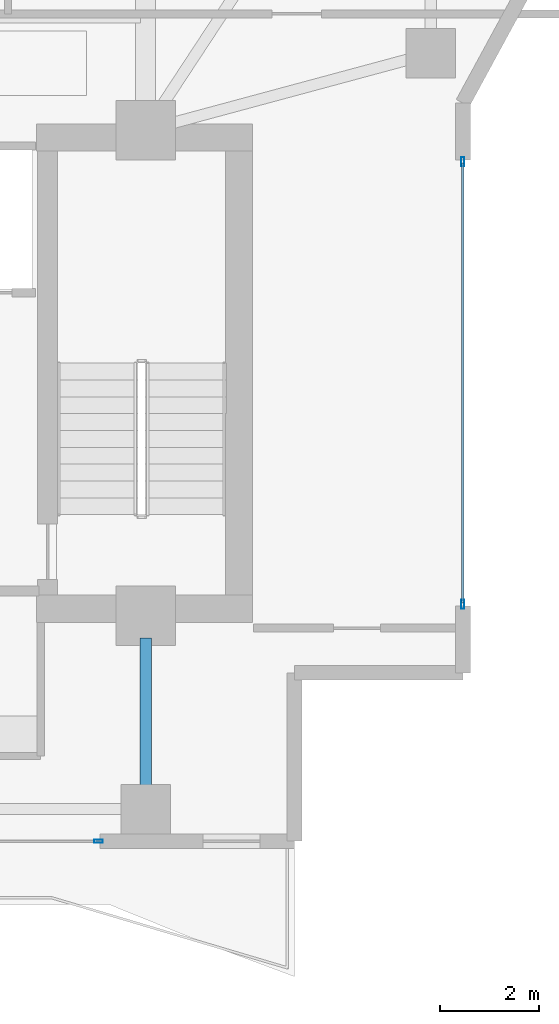
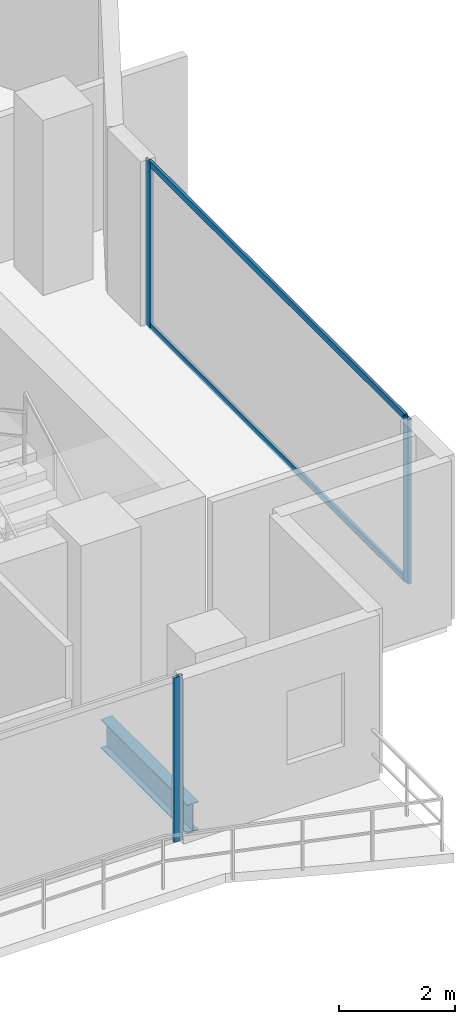
# One storey, part 8 of 23: 5 members, 1 beam, 2 elements without a shape of their own.
"""IFC4 building model written with IfcOpenShell, lengths in metres."""

from ifc_helpers import new_model, si_unit, direction, frame, origin, origin_2d, place, context, subcontext, project, spatial, hollow_rectangle, i_section, extrude, material, layer, layer_set, material_profile, profile_set, type_object, element, aggregate, save


model = new_model("IFC4")

# Units and contexts
model_context = context("Model", 3, precision=1e-05, world=origin(), true_north=direction((0.0, 1.0)))
body_context = subcontext(model_context, "Body", "Model", "MODEL_VIEW")
ifc_project = project(units=[si_unit("LENGTHUNIT", "METRE"), si_unit("AREAUNIT", "SQUARE_METRE"), si_unit("VOLUMEUNIT", "CUBIC_METRE"), si_unit("PLANEANGLEUNIT", "RADIAN"), si_unit("MASSUNIT", "GRAM", prefix="KILO")], contexts=[model_context])

# Site, building, storey
site_placement = place(None, origin())
site = spatial("IfcSite", under=ifc_project, at=site_placement, CompositionType="ELEMENT")
building_placement = place(site_placement, origin())
building = spatial("IfcBuilding", under=site, at=building_placement, Name="Zuhayl Quay Hotel", CompositionType="ELEMENT")
storey_placement = place(building_placement, frame((0.0, 0.0, 265.550048828125)))
storey = spatial("IfcBuildingStorey", under=building, at=storey_placement, Name="L67", CompositionType="ELEMENT", Elevation=265.550048828125)

# Beam
ifc_material_1 = material(Name="Steel ASTM A992 Grade 50", Category="steel")
ifc_material_profile_1 = material_profile(ifc_material_1, i_section(OverallWidth=0.22802734375, OverallDepth=0.60693359375, WebThickness=0.01123046875, FlangeThickness=0.017333984375, at=origin_2d()), Name="W24X76")
ifc_profile_set_1 = profile_set([ifc_material_profile_1], Name="Steel ASTM A992 Grade 50")
beam_type = type_object("IfcBeamType", Name="BM_B3_W24X76", PredefinedType="BEAM", material=ifc_profile_set_1)
beam_placement = place(storey_placement, frame((13.800048828125, 1.110107421875, -0.5234375), z_axis=(0.0, 1.0, 0.0), x_axis=(-1.0, 0.0, 0.0)))
element("IfcBeam", 1, at=beam_placement, inside=storey, type_object=beam_type, Name="L67 Floor Beam FG_S_L67_4", PredefinedType="BEAM", context=body_context, shape_type="SweptSolid", body=[
    extrude(i_section(OverallWidth=0.22802734375, OverallDepth=0.60693359375, WebThickness=0.01123046875, FlangeThickness=0.017333984375, at=origin_2d()), origin(), (0.0, 0.0, 1.0), 2.989990234375),
])

# Curtain wall, members
ifc_material_2 = material(Name="Anodised Aluminium 6063-T6", Category="aluminium")
ifc_layer = layer(ifc_material_2, 0.169921875, Name="Anodised Aluminium 6063-T6", Category="aluminium")
ifc_layer_set = layer_set([ifc_layer], Name="Anodised Aluminium 6063-T6")
curtain_wall_type = type_object("IfcCurtainWallType", Name="CW_SYS_Z4", PredefinedType="USERDEFINED", material=ifc_layer_set)
curtain_wall_1_placement = place(storey_placement, origin())
curtain_wall_1 = element("IfcCurtainWall", 2, at=curtain_wall_1_placement, inside=storey, type_object=curtain_wall_type, Name="L67 Curtain Wall ENV_L67_E14_CW1", ObjectType="UNITISED CURTAIN WALL", PredefinedType="USERDEFINED")
ifc_material_3 = material(Name="Black-anodised aluminium 6063-T6", Category="aluminium")
ifc_material_profile_2 = material_profile(ifc_material_3, hollow_rectangle(XDim=0.06494140625, YDim=0.179931640625, WallThickness=0.00341796875, at=origin_2d()), Name="ALU180X65")
ifc_profile_set_2 = profile_set([ifc_material_profile_2], Name="Black-anodised aluminium 6063-T6")
member_type_1 = type_object("IfcMemberType", Name="MB_CW_MUL_180", PredefinedType="MULLION", material=ifc_profile_set_2)
member_1_placement = place(storey_placement, frame((20.199951171875, 13.717529296875, 0.0), z_axis=(0.0, 0.0, 1.0), x_axis=(1.0, 0.0, 0.0)))
member_1 = element("IfcMember", 3, at=member_1_placement, type_object=member_type_1, Name="CW-Z4 mullion 1", PredefinedType="MULLION", context=body_context, shape_type="SweptSolid", body=[
    extrude(hollow_rectangle(XDim=0.06494140625, YDim=0.179931640625, WallThickness=0.00341796875, at=origin_2d()), origin(), (0.0, 0.0, 1.0), 3.47998046875),
])
member_2_placement = place(storey_placement, frame((20.199951171875, 4.782470703125, 0.0), z_axis=(0.0, 0.0, 1.0), x_axis=(1.0, 0.0, 0.0)))
member_2 = element("IfcMember", 4, at=member_2_placement, type_object=member_type_1, Name="CW-Z4 mullion 2", PredefinedType="MULLION", context=body_context, shape_type="SweptSolid", body=[
    extrude(hollow_rectangle(XDim=0.06494140625, YDim=0.179931640625, WallThickness=0.00341796875, at=origin_2d()), origin(), (0.0, 0.0, 1.0), 3.47998046875),
])

# Curtain wall, member
curtain_wall_2_placement = place(storey_placement, origin())
curtain_wall_2 = element("IfcCurtainWall", 5, at=curtain_wall_2_placement, inside=storey, type_object=curtain_wall_type, Name="L67 Curtain Wall ENV_L67_S_CW1", ObjectType="UNITISED CURTAIN WALL", PredefinedType="USERDEFINED")
member_3_placement = place(storey_placement, frame((12.847412109375, 0.0, 0.0), z_axis=(0.0, 0.0, 1.0), x_axis=(0.0, -1.0, 0.0)))
member_3 = element("IfcMember", 6, at=member_3_placement, type_object=member_type_1, Name="CW-Z4 mullion 1", PredefinedType="MULLION", context=body_context, shape_type="SweptSolid", body=[
    extrude(hollow_rectangle(XDim=0.06494140625, YDim=0.179931640625, WallThickness=0.00341796875, at=origin_2d()), origin(), (0.0, 0.0, 1.0), 3.47998046875),
])
aggregate(curtain_wall_2, [member_3])

# Member
ifc_material_profile_3 = material_profile(ifc_material_3, hollow_rectangle(XDim=0.054931640625, YDim=0.1298828125, WallThickness=0.0029296875, at=origin_2d()), Name="ALU130X55")
ifc_profile_set_3 = profile_set([ifc_material_profile_3], Name="Black-anodised aluminium 6063-T6")
member_type_2 = type_object("IfcMemberType", Name="MB_CW_TRN_130", PredefinedType="USERDEFINED", material=ifc_profile_set_3)
member_4_placement = place(storey_placement, frame((20.199951171875, 13.68505859375, 0.02734375), z_axis=(0.0, -1.0, 0.0), x_axis=(1.0, 0.0, 0.0)))
member_4 = element("IfcMember", 7, at=member_4_placement, type_object=member_type_2, Name="CW-Z4 transom 1.1", ObjectType="TRANSOM", PredefinedType="USERDEFINED", context=body_context, shape_type="SweptSolid", body=[
    extrude(hollow_rectangle(XDim=0.054931640625, YDim=0.1298828125, WallThickness=0.0029296875, at=origin_2d()), origin(), (0.0, 0.0, 1.0), 8.8701171875),
])

member_5_placement = place(storey_placement, frame((20.199951171875, 13.68505859375, 3.452392578125), z_axis=(0.0, -1.0, 0.0), x_axis=(1.0, 0.0, 0.0)))
member_5 = element("IfcMember", 8, at=member_5_placement, type_object=member_type_2, Name="CW-Z4 transom 1.2", ObjectType="TRANSOM", PredefinedType="USERDEFINED", context=body_context, shape_type="SweptSolid", body=[
    extrude(hollow_rectangle(XDim=0.054931640625, YDim=0.1298828125, WallThickness=0.0029296875, at=origin_2d()), origin(), (0.0, 0.0, 1.0), 8.8701171875),
])

aggregate(curtain_wall_1, [member_1, member_2, member_4, member_5])

save(model, "model.ifc")
